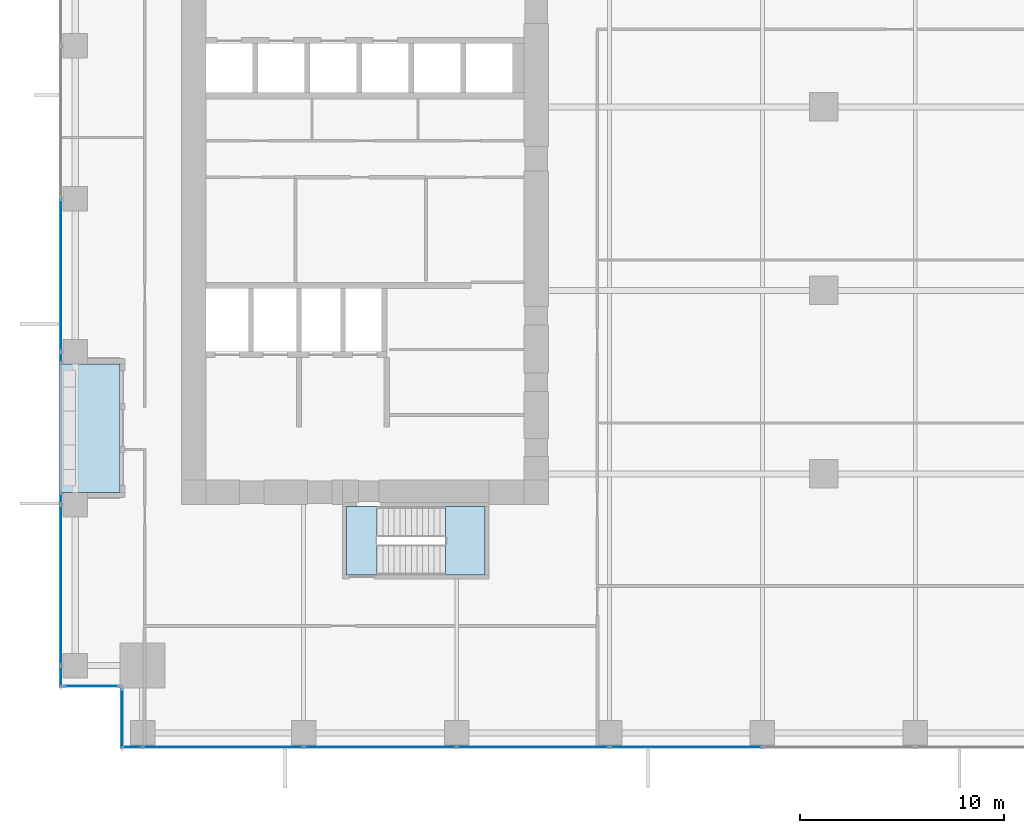
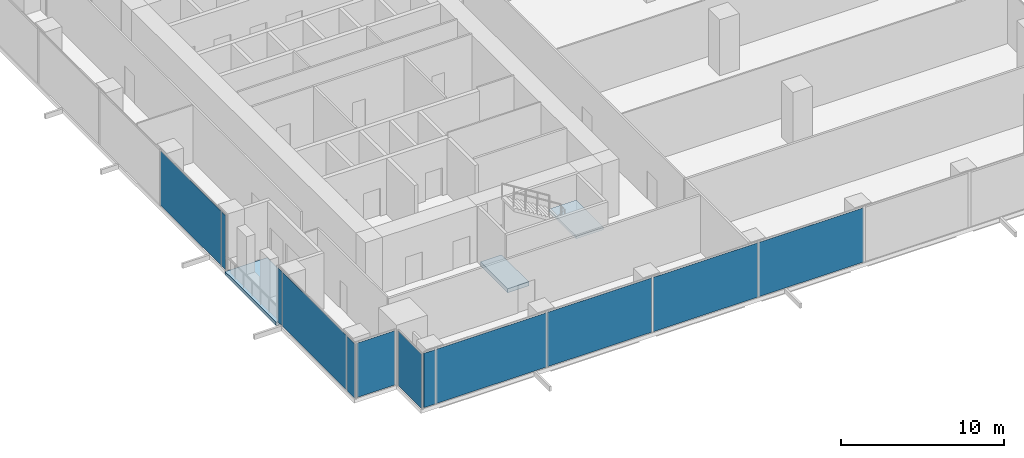
# One storey, part 22 of 33: 12 plates, 3 slabs, 6 elements without a shape of their own.
"""IFC4 building model written with IfcOpenShell, lengths in metres."""

from ifc_helpers import new_model, si_unit, direction, frame, origin, origin_2d, place, context, subcontext, project, spatial, polyline, rectangle, outline, extrude, source, transform, mapped, material, layer, layer_set, type_object, element, aggregate, save


model = new_model("IFC4")

# Units and contexts
model_context = context("Model", 3, precision=1e-05, world=origin(), true_north=direction((0.0, 1.0)))
body_context = subcontext(model_context, "Body", "Model", "MODEL_VIEW")
ifc_project = project(units=[si_unit("LENGTHUNIT", "METRE"), si_unit("AREAUNIT", "SQUARE_METRE"), si_unit("VOLUMEUNIT", "CUBIC_METRE"), si_unit("PLANEANGLEUNIT", "RADIAN"), si_unit("MASSUNIT", "GRAM", prefix="KILO")], contexts=[model_context])

# Site, building, storey
site_placement = place(None, origin())
site = spatial("IfcSite", under=ifc_project, at=site_placement, CompositionType="ELEMENT")
building_placement = place(site_placement, origin())
building = spatial("IfcBuilding", under=site, at=building_placement, Name="Khomas Fold Tower", CompositionType="ELEMENT")
storey_placement = place(building_placement, frame((0.0, 0.0, 55.5)))
storey = spatial("IfcBuildingStorey", under=building, at=storey_placement, Name="L11", CompositionType="ELEMENT", Elevation=55.5)

# Curtain wall, plates
ifc_material_1 = material(Name="Aluminium framed double glazing", Category="aluminium")
curtain_wall_type = type_object("IfcCurtainWallType", Name="SK-Unitised clear-glass wall, growing floors CW1", PredefinedType="NOTDEFINED", material=ifc_material_1)
curtain_wall_1_placement = place(storey_placement, origin())
curtain_wall_1 = element("IfcCurtainWall", 1, at=curtain_wall_1_placement, inside=storey, type_object=curtain_wall_type, Name="CW1 run L11 00-0", PredefinedType="NOTDEFINED")
ifc_material_2 = material(Name="Clear double glazed unit")
ifc_layer_1 = layer(ifc_material_2, 0.031982421875)
ifc_layer_set_1 = layer_set([ifc_layer_1], Name="Clear double glazed unit")
plate_type = type_object("IfcPlateType", Name="SK-Unitised clear-glass wall, growing floors glass panel CW1-P", PredefinedType="CURTAIN_PANEL", material=ifc_layer_set_1)
shared_shape_1 = source(origin(), body_context, "Body", "SweptSolid", [
    extrude(rectangle(XDim=0.81005859375, YDim=0.031982421875, at=origin_2d()), origin(), (0.0, 0.0, 1.0), 4.080078125),
])
plate_1_placement = place(storey_placement, frame((3.6650390625, 0.10009765625, 0.0), z_axis=(0.0, 0.0, 1.0), x_axis=(1.0, 0.0, 0.0)))
plate_1 = element("IfcPlate", 2, at=plate_1_placement, type_object=plate_type, Name="CW1 glass panel 1", PredefinedType="CURTAIN_PANEL", context=body_context, shape_type="MappedRepresentation", body=[
    mapped(shared_shape_1, transform((0.0, 0.0, 0.0))),
])
shared_shape_2 = source(origin(), body_context, "Body", "SweptSolid", [
    extrude(rectangle(XDim=7.840087890625, YDim=0.031982421875, at=origin_2d()), origin(), (0.0, 0.0, 1.0), 4.080078125),
])
plate_2_placement = place(storey_placement, frame((8.050048828125, 0.10009765625, 0.0), z_axis=(0.0, 0.0, 1.0), x_axis=(1.0, 0.0, 0.0)))
plate_2 = element("IfcPlate", 3, at=plate_2_placement, type_object=plate_type, Name="CW1 glass panel 2", PredefinedType="CURTAIN_PANEL", context=body_context, shape_type="MappedRepresentation", body=[
    mapped(shared_shape_2, transform((0.0, 0.0, 0.0))),
])

# Curtain wall, plate
curtain_wall_2_placement = place(storey_placement, origin())
curtain_wall_2 = element("IfcCurtainWall", 4, at=curtain_wall_2_placement, inside=storey, type_object=curtain_wall_type, Name="CW1 run L11 09-1", PredefinedType="NOTDEFINED")
plate_3_placement = place(storey_placement, frame((0.10009765625, 8.050048828125, 0.0), z_axis=(0.0, 0.0, 1.0), x_axis=(0.0, -1.0, 0.0)))
plate_3 = element("IfcPlate", 5, at=plate_3_placement, type_object=plate_type, Name="CW1 glass panel 2", PredefinedType="CURTAIN_PANEL", context=body_context, shape_type="MappedRepresentation", body=[
    mapped(shared_shape_2, transform((0.0, 0.0, 0.0))),
])

# Plate
shared_shape_3 = source(origin(), body_context, "Body", "SweptSolid", [
    extrude(rectangle(XDim=7.43994140625, YDim=0.031982421875, at=origin_2d()), origin(), (0.0, 0.0, 1.0), 4.080078125),
])
plate_4_placement = place(storey_placement, frame((15.75, 0.10009765625, 0.0), z_axis=(0.0, 0.0, 1.0), x_axis=(1.0, 0.0, 0.0)))
plate_4 = element("IfcPlate", 6, at=plate_4_placement, type_object=plate_type, Name="CW1 glass panel 3", PredefinedType="CURTAIN_PANEL", context=body_context, shape_type="MappedRepresentation", body=[
    mapped(shared_shape_3, transform((0.0, 0.0, 0.0))),
])

plate_5_placement = place(storey_placement, frame((23.25, 0.10009765625, 0.0), z_axis=(0.0, 0.0, 1.0), x_axis=(1.0, 0.0, 0.0)))
plate_5 = element("IfcPlate", 7, at=plate_5_placement, type_object=plate_type, Name="CW1 glass panel 4", PredefinedType="CURTAIN_PANEL", context=body_context, shape_type="MappedRepresentation", body=[
    mapped(shared_shape_3, transform((0.0, 0.0, 0.0))),
])

plate_6_placement = place(storey_placement, frame((30.75, 0.10009765625, 0.0), z_axis=(0.0, 0.0, 1.0), x_axis=(1.0, 0.0, 0.0)))
plate_6 = element("IfcPlate", 8, at=plate_6_placement, type_object=plate_type, Name="CW1 glass panel 5", PredefinedType="CURTAIN_PANEL", context=body_context, shape_type="MappedRepresentation", body=[
    mapped(shared_shape_3, transform((0.0, 0.0, 0.0))),
])

aggregate(curtain_wall_1, [plate_1, plate_2, plate_4, plate_5, plate_6])

# Curtain wall, plate
curtain_wall_3_placement = place(storey_placement, origin())
curtain_wall_3 = element("IfcCurtainWall", 9, at=curtain_wall_3_placement, inside=storey, type_object=curtain_wall_type, Name="CW1 run L11 09-0", PredefinedType="NOTDEFINED")
plate_7_placement = place(storey_placement, frame((0.10009765625, 23.25, 0.0), z_axis=(0.0, 0.0, 1.0), x_axis=(0.0, -1.0, 0.0)))
plate_7 = element("IfcPlate", 10, at=plate_7_placement, type_object=plate_type, Name="CW1 glass panel 5", PredefinedType="CURTAIN_PANEL", context=body_context, shape_type="MappedRepresentation", body=[
    mapped(shared_shape_3, transform((0.0, 0.0, 0.0))),
])

# Plate
shared_shape_4 = source(origin(), body_context, "Body", "SweptSolid", [
    extrude(rectangle(XDim=1.010009765625, YDim=0.031982421875, at=origin_2d()), origin(), (0.0, 0.0, 1.0), 4.080078125),
])
plate_8_placement = place(storey_placement, frame((0.10009765625, 3.56494140625, 0.0), z_axis=(0.0, 0.0, 1.0), x_axis=(0.0, -1.0, 0.0)))
plate_8 = element("IfcPlate", 11, at=plate_8_placement, type_object=plate_type, Name="CW1 glass panel 3", PredefinedType="CURTAIN_PANEL", context=body_context, shape_type="MappedRepresentation", body=[
    mapped(shared_shape_4, transform((0.0, 0.0, 0.0))),
])

# Curtain wall, plate
curtain_wall_4_placement = place(storey_placement, origin())
curtain_wall_4 = element("IfcCurtainWall", 12, at=curtain_wall_4_placement, inside=storey, type_object=curtain_wall_type, Name="CW1 corner return L11 10", PredefinedType="NOTDEFINED")
shared_shape_5 = source(origin(), body_context, "Body", "SweptSolid", [
    extrude(rectangle(XDim=2.679931640625, YDim=0.031982421875, at=origin_2d()), origin(), (0.0, 0.0, 1.0), 4.080078125),
])
plate_9_placement = place(storey_placement, frame((1.60009765625, 3.10009765625, 0.0), z_axis=(0.0, 0.0, 1.0), x_axis=(1.0, 0.0, 0.0)))
plate_9 = element("IfcPlate", 13, at=plate_9_placement, type_object=plate_type, Name="CW1 glass panel 1", PredefinedType="CURTAIN_PANEL", context=body_context, shape_type="MappedRepresentation", body=[
    mapped(shared_shape_5, transform((0.0, 0.0, 0.0))),
])
aggregate(curtain_wall_4, [plate_9])

curtain_wall_5_placement = place(storey_placement, origin())
curtain_wall_5 = element("IfcCurtainWall", 14, at=curtain_wall_5_placement, inside=storey, type_object=curtain_wall_type, Name="CW1 corner return L11 11", PredefinedType="NOTDEFINED")
shared_shape_6 = source(origin(), body_context, "Body", "SweptSolid", [
    extrude(rectangle(XDim=2.8798828125, YDim=0.031982421875, at=origin_2d()), origin(), (0.0, 0.0, 1.0), 4.080078125),
])
plate_10_placement = place(storey_placement, frame((3.10009765625, 1.5, 0.0), z_axis=(0.0, 0.0, 1.0), x_axis=(0.0, -1.0, 0.0)))
plate_10 = element("IfcPlate", 15, at=plate_10_placement, type_object=plate_type, Name="CW1 glass panel 1", PredefinedType="CURTAIN_PANEL", context=body_context, shape_type="MappedRepresentation", body=[
    mapped(shared_shape_6, transform((0.0, 0.0, 0.0))),
])
aggregate(curtain_wall_5, [plate_10])

# Plate
shared_shape_7 = source(origin(), body_context, "Body", "SweptSolid", [
    extrude(rectangle(XDim=0.510009765625, YDim=0.031982421875, at=origin_2d()), origin(), (0.0, 0.0, 1.0), 4.080078125),
])
plate_11_placement = place(storey_placement, frame((0.10009765625, 19.215087890625, 0.0), z_axis=(0.0, 0.0, 1.0), x_axis=(0.0, -1.0, 0.0)))
plate_11 = element("IfcPlate", 16, at=plate_11_placement, type_object=plate_type, Name="CW1 glass panel 6", PredefinedType="CURTAIN_PANEL", context=body_context, shape_type="MappedRepresentation", body=[
    mapped(shared_shape_7, transform((0.0, 0.0, 0.0))),
])

aggregate(curtain_wall_3, [plate_7, plate_11])

plate_12_placement = place(storey_placement, frame((0.10009765625, 12.284912109375, 0.0), z_axis=(0.0, 0.0, 1.0), x_axis=(0.0, -1.0, 0.0)))
plate_12 = element("IfcPlate", 17, at=plate_12_placement, type_object=plate_type, Name="CW1 glass panel 1", PredefinedType="CURTAIN_PANEL", context=body_context, shape_type="MappedRepresentation", body=[
    mapped(shared_shape_7, transform((0.0, 0.0, 0.0))),
])

aggregate(curtain_wall_2, [plate_12, plate_3, plate_8])

# Slab
ifc_material_3 = material(Name="Concrete C40/50", Category="concrete")
ifc_layer_2 = layer(ifc_material_3, 0.2548828125)
ifc_layer_set_2 = layer_set([ifc_layer_2], Name="Concrete C40/50")
slab_type_1 = type_object("IfcSlabType", Name="BL-Balcony deck 255", PredefinedType="FLOOR", material=ifc_layer_set_2)
shared_shape_8 = source(origin(), body_context, "Body", "SweptSolid", [
    extrude(outline(polyline([(0.0, 12.60009765625), (3.0, 12.60009765625), (3.0, 18.89990234375), (0.0, 18.89990234375), (0.0, 12.60009765625)])), origin(), (0.0, 0.0, 1.0), 0.255126953125),
])
slab_1_placement = place(storey_placement, frame((0.0, 0.0, -0.300048828125)))
element("IfcSlab", 18, at=slab_1_placement, inside=storey, type_object=slab_type_1, Name="Balcony deck BAL-L11-W1", PredefinedType="FLOOR", context=body_context, shape_type="MappedRepresentation", body=[
    mapped(shared_shape_8, transform((0.0, 0.0, 0.0))),
])

# Stair, slab
ifc_material_4 = material(Name="Concrete C40/50", Category="concrete")
stair_type = type_object("IfcStairType", Name="Stair ST2", PredefinedType="HALF_TURN_STAIR", material=ifc_material_4)
stair_placement = place(storey_placement, origin())
stair = element("IfcStair", 19, at=stair_placement, inside=storey, type_object=stair_type, Name="L11 ST2", PredefinedType="HALF_TURN_STAIR")
ifc_material_5 = material(Name="Concrete C40/50", Category="concrete")
ifc_layer_3 = layer(ifc_material_5, 0.199951171875)
ifc_layer_set_3 = layer_set([ifc_layer_3], Name="Concrete C40/50")
slab_type_2 = type_object("IfcSlabType", Name="Stair landing 200", PredefinedType="LANDING", material=ifc_layer_set_3)
shared_shape_9 = source(origin(), body_context, "Body", "SweptSolid", [
    extrude(outline(polyline([(18.9599609375, 8.550048828125), (20.89990234375, 8.550048828125), (20.89990234375, 11.89990234375), (18.9599609375, 11.89990234375), (18.9599609375, 8.550048828125)])), origin(), (0.0, 0.0, 1.0), 0.199951171875),
])
slab_2_placement = place(storey_placement, frame((0.0, 0.0, 2.050048828125)))
slab_2 = element("IfcSlab", 20, at=slab_2_placement, type_object=slab_type_2, Name="ST2 landing 1", PredefinedType="LANDING", context=body_context, shape_type="MappedRepresentation", body=[
    mapped(shared_shape_9, transform((0.0, 0.0, 0.0))),
])
aggregate(stair, [slab_2])

# Slab
ifc_material_6 = material(Name="Concrete C40/50", Category="concrete")
ifc_layer_4 = layer(ifc_material_6, 0.300048828125)
ifc_layer_set_4 = layer_set([ifc_layer_4], Name="Concrete C40/50")
slab_type_3 = type_object("IfcSlabType", Name="Stair floor landing 300", PredefinedType="LANDING", material=ifc_layer_set_4)
shared_shape_10 = source(origin(), body_context, "Body", "SweptSolid", [
    extrude(outline(polyline([(15.60009765625, 8.550048828125), (14.10009765625, 8.550048828125), (14.10009765625, 11.89990234375), (15.60009765625, 11.89990234375), (15.60009765625, 8.550048828125)])), origin(), (0.0, 0.0, 1.0), 0.300048828125),
])
slab_3_placement = place(storey_placement, frame((0.0, 0.0, -0.300048828125)))
element("IfcSlab", 21, at=slab_3_placement, inside=storey, type_object=slab_type_3, Name="ST2 floor landing", PredefinedType="LANDING", context=body_context, shape_type="MappedRepresentation", body=[
    mapped(shared_shape_10, transform((0.0, 0.0, 0.0))),
])

save(model, "model.ifc")
